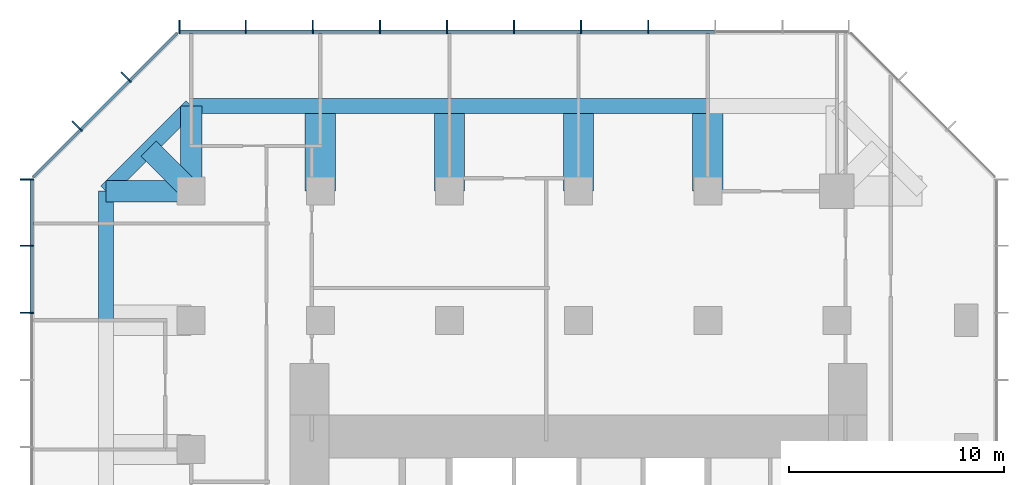
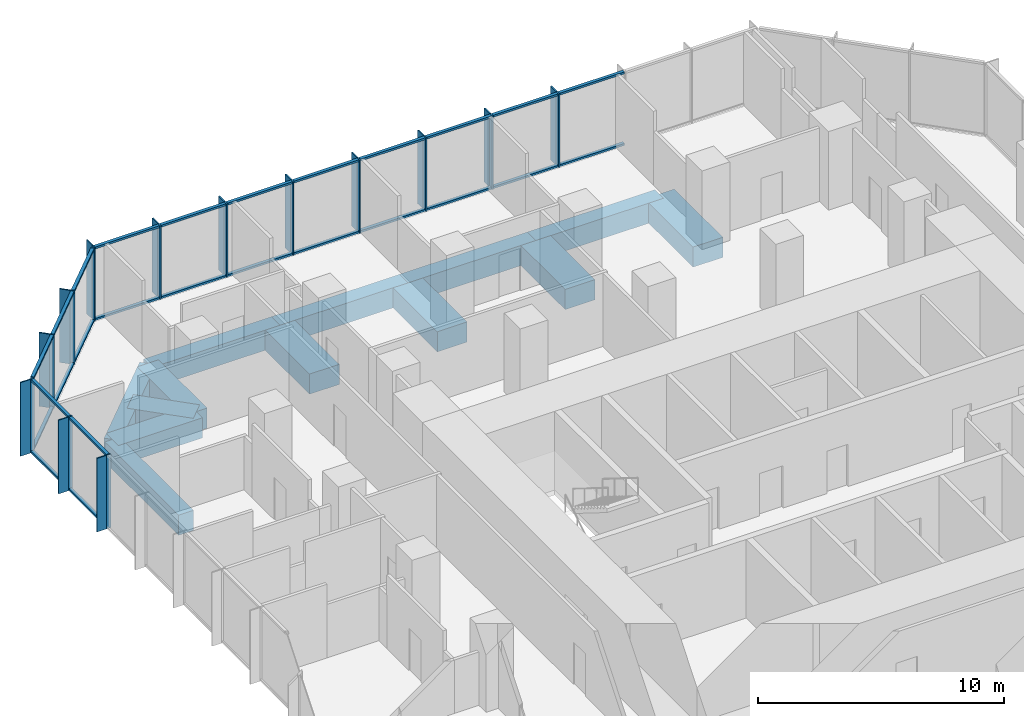
# One storey, part 5 of 11: 52 members, 13 beams, 3 elements without a shape of their own.
"""IFC4 building model written with IfcOpenShell, lengths in metres."""

from ifc_helpers import new_model, si_unit, direction, frame, origin, origin_2d, place, context, subcontext, project, spatial, rectangle, extrude, material, layer, layer_set, material_profile, profile_set, type_object, element, aggregate, save


model = new_model("IFC4")

# Units and contexts
model_context = context("Model", 3, precision=1e-05, world=origin(), true_north=direction((0.0, 1.0)))
body_context = subcontext(model_context, "Body", "Model", "MODEL_VIEW")
ifc_project = project(units=[si_unit("LENGTHUNIT", "METRE"), si_unit("AREAUNIT", "SQUARE_METRE"), si_unit("VOLUMEUNIT", "CUBIC_METRE"), si_unit("PLANEANGLEUNIT", "RADIAN"), si_unit("MASSUNIT", "GRAM", prefix="KILO")], contexts=[model_context])

# Site, building, storey
site_placement = place(None, origin())
site = spatial("IfcSite", under=ifc_project, at=site_placement, CompositionType="ELEMENT")
building_placement = place(site_placement, origin())
building = spatial("IfcBuilding", under=site, at=building_placement, Name="Highveld Stack Headquarters", CompositionType="ELEMENT")
storey_placement = place(building_placement, frame((0.0, 0.0, 208.39990234375)))
storey = spatial("IfcBuildingStorey", under=building, at=storey_placement, Name="L51", CompositionType="ELEMENT", Elevation=208.39990234375)

# Beams
ifc_material_1 = material(Name="Concrete C60/75", Category="concrete")
ifc_material_profile_1 = material_profile(ifc_material_1, rectangle(XDim=1.0, YDim=1.0, at=origin_2d()), Name="RC 1000x1000")
ifc_profile_set_1 = profile_set([ifc_material_profile_1], Name="Concrete C60/75")
beam_type_1 = type_object("IfcBeamType", Name="CANTILEVER RIB RC 1000x1000", PredefinedType="USERDEFINED", material=ifc_profile_set_1)
for number, where, z_axis, x_axis, name in (
    (1, (-12.0, 24.0, -0.75), (-1.0, 0.0, 0.0), (0.0, -1.0, 0.0), "Cantilever rib 4/J L51"),
    (2, (-12.0, 24.0, -0.75), (0.0, 1.0, 0.0), (-1.0, 0.0, 0.0), "Cantilever rib 4/J L51"),
):
    element("IfcBeam", number, at=place(storey_placement, frame(where, z_axis=z_axis, x_axis=x_axis)), inside=storey, type_object=beam_type_1, Name=name, ObjectType="CANTILEVER RIB", PredefinedType="USERDEFINED", context=body_context, shape_type="SweptSolid", body=[
        extrude(rectangle(XDim=1.0, YDim=1.0, at=origin_2d()), origin(), (0.0, 0.0, 1.0), 3.949951171875),
    ])
beam_1_placement = place(storey_placement, frame((-12.0, 24.0, -0.75), z_axis=(-0.707106781187, 0.707106781187, 0.0), x_axis=(-0.707106781187, -0.707106781187, 0.0)))
element("IfcBeam", 3, at=beam_1_placement, inside=storey, type_object=beam_type_1, Name="Cantilever rib 4/J L51", ObjectType="CANTILEVER RIB", PredefinedType="USERDEFINED", context=body_context, shape_type="SweptSolid", body=[
    extrude(rectangle(XDim=1.0, YDim=1.0, at=origin_2d()), origin(), (0.0, 0.0, 1.0), 2.793212890625),
])
ifc_material_2 = material(Name="Concrete C60/75", Category="concrete")
ifc_material_profile_2 = material_profile(ifc_material_2, rectangle(XDim=1.39990234375, YDim=1.0, at=origin_2d()), Name="RC 1400x1000")
ifc_profile_set_2 = profile_set([ifc_material_profile_2], Name="Concrete C60/75")
beam_type_2 = type_object("IfcBeamType", Name="CANTILEVER RIB RC 1400x1000", PredefinedType="USERDEFINED", material=ifc_profile_set_2)
for number, where, z_axis, x_axis, name in (
    (4, (-6.0, 24.0, -0.75), (0.0, 1.0, 0.0), (-1.0, 0.0, 0.0), "Cantilever rib 5/J L51"),
    (5, (0.0, 24.0, -0.75), (0.0, 1.0, 0.0), (-1.0, 0.0, 0.0), "Cantilever rib 6/J L51"),
    (6, (6.0, 24.0, -0.75), (0.0, 1.0, 0.0), (-1.0, 0.0, 0.0), "Cantilever rib 7/J L51"),
    (7, (12.0, 24.0, -0.75), (0.0, 1.0, 0.0), (-1.0, 0.0, 0.0), "Cantilever rib 8/J L51"),
):
    element("IfcBeam", number, at=place(storey_placement, frame(where, z_axis=z_axis, x_axis=x_axis)), inside=storey, type_object=beam_type_2, Name=name, ObjectType="CANTILEVER RIB", PredefinedType="USERDEFINED", context=body_context, shape_type="SweptSolid", body=[
        extrude(rectangle(XDim=1.39990234375, YDim=1.0, at=origin_2d()), origin(), (0.0, 0.0, 1.0), 3.949951171875),
    ])

# Curtain wall, members
ifc_material_3 = material(Name="Aluminium bronze anodised", Category="aluminium")
ifc_layer_1 = layer(ifc_material_3, 0.199951171875)
ifc_layer_set_1 = layer_set([ifc_layer_1], Name="Aluminium bronze anodised")
curtain_wall_type_1 = type_object("IfcCurtainWallType", Name="CW1 TOWER UNITISED CURTAIN WALL", PredefinedType="NOTDEFINED", material=ifc_layer_set_1)
curtain_wall_1_placement = place(storey_placement, origin())
curtain_wall_1 = element("IfcCurtainWall", 8, at=curtain_wall_1_placement, inside=storey, type_object=curtain_wall_type_1, Name="Curtain wall CW1 L51 N", PredefinedType="NOTDEFINED")
ifc_material_4 = material(Name="Aluminium bronze anodised", Category="aluminium")
ifc_material_profile_3 = material_profile(ifc_material_4, rectangle(XDim=0.449951171875, YDim=0.06005859375, at=origin_2d()), Name="FIN 450x60")
ifc_profile_set_3 = profile_set([ifc_material_profile_3], Name="Aluminium bronze anodised")
member_type_1 = type_object("IfcMemberType", Name="CW1 BRONZE FIN 450x60", PredefinedType="USERDEFINED", material=ifc_profile_set_3)
member_1_placement = place(storey_placement, frame((9.23193359375, 31.72509765625, 0.0), z_axis=(0.0, 0.0, 1.0), x_axis=(0.0, -1.0, 0.0)))
member_1 = element("IfcMember", 9, at=member_1_placement, type_object=member_type_1, Name="CW1 fin L51 4", ObjectType="FIN", PredefinedType="USERDEFINED", context=body_context, shape_type="SweptSolid", body=[
    extrude(rectangle(XDim=0.449951171875, YDim=0.06005859375, at=origin_2d()), origin(), (0.0, 0.0, 1.0), 3.650146484375),
])
member_2_placement = place(storey_placement, frame((6.115966796875, 31.72509765625, 0.0), z_axis=(0.0, 0.0, 1.0), x_axis=(0.0, -1.0, 0.0)))
member_2 = element("IfcMember", 10, at=member_2_placement, type_object=member_type_1, Name="CW1 fin L51 5", ObjectType="FIN", PredefinedType="USERDEFINED", context=body_context, shape_type="SweptSolid", body=[
    extrude(rectangle(XDim=0.449951171875, YDim=0.06005859375, at=origin_2d()), origin(), (0.0, 0.0, 1.0), 3.650146484375),
])
member_3_placement = place(storey_placement, frame((3.0, 31.72509765625, 0.0), z_axis=(0.0, 0.0, 1.0), x_axis=(0.0, -1.0, 0.0)))
member_3 = element("IfcMember", 11, at=member_3_placement, type_object=member_type_1, Name="CW1 fin L51 6", ObjectType="FIN", PredefinedType="USERDEFINED", context=body_context, shape_type="SweptSolid", body=[
    extrude(rectangle(XDim=0.449951171875, YDim=0.06005859375, at=origin_2d()), origin(), (0.0, 0.0, 1.0), 3.650146484375),
])
member_4_placement = place(storey_placement, frame((-0.115966796875, 31.72509765625, 0.0), z_axis=(0.0, 0.0, 1.0), x_axis=(0.0, -1.0, 0.0)))
member_4 = element("IfcMember", 12, at=member_4_placement, type_object=member_type_1, Name="CW1 fin L51 7", ObjectType="FIN", PredefinedType="USERDEFINED", context=body_context, shape_type="SweptSolid", body=[
    extrude(rectangle(XDim=0.449951171875, YDim=0.06005859375, at=origin_2d()), origin(), (0.0, 0.0, 1.0), 3.650146484375),
])
member_5_placement = place(storey_placement, frame((-3.23193359375, 31.72509765625, 0.0), z_axis=(0.0, 0.0, 1.0), x_axis=(0.0, -1.0, 0.0)))
member_5 = element("IfcMember", 13, at=member_5_placement, type_object=member_type_1, Name="CW1 fin L51 8", ObjectType="FIN", PredefinedType="USERDEFINED", context=body_context, shape_type="SweptSolid", body=[
    extrude(rectangle(XDim=0.449951171875, YDim=0.06005859375, at=origin_2d()), origin(), (0.0, 0.0, 1.0), 3.650146484375),
])
member_6_placement = place(storey_placement, frame((-6.347900390625, 31.72509765625, 0.0), z_axis=(0.0, 0.0, 1.0), x_axis=(0.0, -1.0, 0.0)))
member_6 = element("IfcMember", 14, at=member_6_placement, type_object=member_type_1, Name="CW1 fin L51 9", ObjectType="FIN", PredefinedType="USERDEFINED", context=body_context, shape_type="SweptSolid", body=[
    extrude(rectangle(XDim=0.449951171875, YDim=0.06005859375, at=origin_2d()), origin(), (0.0, 0.0, 1.0), 3.650146484375),
])
member_7_placement = place(storey_placement, frame((-9.4638671875, 31.72509765625, 0.0), z_axis=(0.0, 0.0, 1.0), x_axis=(0.0, -1.0, 0.0)))
member_7 = element("IfcMember", 15, at=member_7_placement, type_object=member_type_1, Name="CW1 fin L51 10", ObjectType="FIN", PredefinedType="USERDEFINED", context=body_context, shape_type="SweptSolid", body=[
    extrude(rectangle(XDim=0.449951171875, YDim=0.06005859375, at=origin_2d()), origin(), (0.0, 0.0, 1.0), 3.650146484375),
])
member_8_placement = place(storey_placement, frame((-12.54736328125, 31.72509765625, 0.0), z_axis=(0.0, 0.0, 1.0), x_axis=(0.0, -1.0, 0.0)))
member_8 = element("IfcMember", 16, at=member_8_placement, type_object=member_type_1, Name="CW1 fin L51 11", ObjectType="FIN", PredefinedType="USERDEFINED", context=body_context, shape_type="SweptSolid", body=[
    extrude(rectangle(XDim=0.449951171875, YDim=0.06005859375, at=origin_2d()), origin(), (0.0, 0.0, 1.0), 3.650146484375),
])

curtain_wall_2_placement = place(storey_placement, origin())
curtain_wall_2 = element("IfcCurtainWall", 17, at=curtain_wall_2_placement, inside=storey, type_object=curtain_wall_type_1, Name="Curtain wall CW1 L51 W", PredefinedType="NOTDEFINED")
member_9_placement = place(storey_placement, frame((-19.72509765625, 24.54736328125, 0.0), z_axis=(0.0, 0.0, 1.0), x_axis=(1.0, 0.0, 0.0)))
member_9 = element("IfcMember", 18, at=member_9_placement, type_object=member_type_1, Name="CW1 fin L51 1", ObjectType="FIN", PredefinedType="USERDEFINED", context=body_context, shape_type="SweptSolid", body=[
    extrude(rectangle(XDim=0.449951171875, YDim=0.06005859375, at=origin_2d()), origin(), (0.0, 0.0, 1.0), 3.650146484375),
])
member_10_placement = place(storey_placement, frame((-19.72509765625, 21.4638671875, 0.0), z_axis=(0.0, 0.0, 1.0), x_axis=(1.0, 0.0, 0.0)))
member_10 = element("IfcMember", 19, at=member_10_placement, type_object=member_type_1, Name="CW1 fin L51 2", ObjectType="FIN", PredefinedType="USERDEFINED", context=body_context, shape_type="SweptSolid", body=[
    extrude(rectangle(XDim=0.449951171875, YDim=0.06005859375, at=origin_2d()), origin(), (0.0, 0.0, 1.0), 3.650146484375),
])
member_11_placement = place(storey_placement, frame((-19.72509765625, 18.347900390625, 0.0), z_axis=(0.0, 0.0, 1.0), x_axis=(1.0, 0.0, 0.0)))
member_11 = element("IfcMember", 20, at=member_11_placement, type_object=member_type_1, Name="CW1 fin L51 3", ObjectType="FIN", PredefinedType="USERDEFINED", context=body_context, shape_type="SweptSolid", body=[
    extrude(rectangle(XDim=0.449951171875, YDim=0.06005859375, at=origin_2d()), origin(), (0.0, 0.0, 1.0), 3.650146484375),
])

# Member
ifc_material_5 = material(Name="Aluminium bronze anodised", Category="aluminium")
ifc_material_profile_4 = material_profile(ifc_material_5, rectangle(XDim=0.199951171875, YDim=0.06494140625, at=origin_2d()), Name="CW1 MULLION 65x200")
ifc_profile_set_4 = profile_set([ifc_material_profile_4], Name="Aluminium bronze anodised")
member_type_2 = type_object("IfcMemberType", Name="CW1 MULLION 65x200", PredefinedType="MULLION", material=ifc_profile_set_4)
member_12_placement = place(storey_placement, frame((9.23193359375, 31.39990234375, 0.0), z_axis=(0.0, 0.0, 1.0), x_axis=(0.0, -1.0, 0.0)))
member_12 = element("IfcMember", 21, at=member_12_placement, type_object=member_type_2, Name="CW1 mullion L51 4", PredefinedType="MULLION", context=body_context, shape_type="SweptSolid", body=[
    extrude(rectangle(XDim=0.199951171875, YDim=0.06494140625, at=origin_2d()), origin(), (0.0, 0.0, 1.0), 3.650146484375),
])

member_13_placement = place(storey_placement, frame((6.115966796875, 31.39990234375, 0.0), z_axis=(0.0, 0.0, 1.0), x_axis=(0.0, -1.0, 0.0)))
member_13 = element("IfcMember", 22, at=member_13_placement, type_object=member_type_2, Name="CW1 mullion L51 5", PredefinedType="MULLION", context=body_context, shape_type="SweptSolid", body=[
    extrude(rectangle(XDim=0.199951171875, YDim=0.06494140625, at=origin_2d()), origin(), (0.0, 0.0, 1.0), 3.650146484375),
])

member_14_placement = place(storey_placement, frame((3.0, 31.39990234375, 0.0), z_axis=(0.0, 0.0, 1.0), x_axis=(0.0, -1.0, 0.0)))
member_14 = element("IfcMember", 23, at=member_14_placement, type_object=member_type_2, Name="CW1 mullion L51 6", PredefinedType="MULLION", context=body_context, shape_type="SweptSolid", body=[
    extrude(rectangle(XDim=0.199951171875, YDim=0.06494140625, at=origin_2d()), origin(), (0.0, 0.0, 1.0), 3.650146484375),
])

member_15_placement = place(storey_placement, frame((-0.115966796875, 31.39990234375, 0.0), z_axis=(0.0, 0.0, 1.0), x_axis=(0.0, -1.0, 0.0)))
member_15 = element("IfcMember", 24, at=member_15_placement, type_object=member_type_2, Name="CW1 mullion L51 7", PredefinedType="MULLION", context=body_context, shape_type="SweptSolid", body=[
    extrude(rectangle(XDim=0.199951171875, YDim=0.06494140625, at=origin_2d()), origin(), (0.0, 0.0, 1.0), 3.650146484375),
])

member_16_placement = place(storey_placement, frame((-3.23193359375, 31.39990234375, 0.0), z_axis=(0.0, 0.0, 1.0), x_axis=(0.0, -1.0, 0.0)))
member_16 = element("IfcMember", 25, at=member_16_placement, type_object=member_type_2, Name="CW1 mullion L51 8", PredefinedType="MULLION", context=body_context, shape_type="SweptSolid", body=[
    extrude(rectangle(XDim=0.199951171875, YDim=0.06494140625, at=origin_2d()), origin(), (0.0, 0.0, 1.0), 3.650146484375),
])

member_17_placement = place(storey_placement, frame((-6.347900390625, 31.39990234375, 0.0), z_axis=(0.0, 0.0, 1.0), x_axis=(0.0, -1.0, 0.0)))
member_17 = element("IfcMember", 26, at=member_17_placement, type_object=member_type_2, Name="CW1 mullion L51 9", PredefinedType="MULLION", context=body_context, shape_type="SweptSolid", body=[
    extrude(rectangle(XDim=0.199951171875, YDim=0.06494140625, at=origin_2d()), origin(), (0.0, 0.0, 1.0), 3.650146484375),
])

member_18_placement = place(storey_placement, frame((-9.4638671875, 31.39990234375, 0.0), z_axis=(0.0, 0.0, 1.0), x_axis=(0.0, -1.0, 0.0)))
member_18 = element("IfcMember", 27, at=member_18_placement, type_object=member_type_2, Name="CW1 mullion L51 10", PredefinedType="MULLION", context=body_context, shape_type="SweptSolid", body=[
    extrude(rectangle(XDim=0.199951171875, YDim=0.06494140625, at=origin_2d()), origin(), (0.0, 0.0, 1.0), 3.650146484375),
])

member_19_placement = place(storey_placement, frame((-12.54736328125, 31.39990234375, 0.0), z_axis=(0.0, 0.0, 1.0), x_axis=(0.0, -1.0, 0.0)))
member_19 = element("IfcMember", 28, at=member_19_placement, type_object=member_type_2, Name="CW1 mullion L51 11", PredefinedType="MULLION", context=body_context, shape_type="SweptSolid", body=[
    extrude(rectangle(XDim=0.199951171875, YDim=0.06494140625, at=origin_2d()), origin(), (0.0, 0.0, 1.0), 3.650146484375),
])

member_20_placement = place(storey_placement, frame((-19.39990234375, 24.54736328125, 0.0), z_axis=(0.0, 0.0, 1.0), x_axis=(1.0, 0.0, 0.0)))
member_20 = element("IfcMember", 29, at=member_20_placement, type_object=member_type_2, Name="CW1 mullion L51 1", PredefinedType="MULLION", context=body_context, shape_type="SweptSolid", body=[
    extrude(rectangle(XDim=0.199951171875, YDim=0.06494140625, at=origin_2d()), origin(), (0.0, 0.0, 1.0), 3.650146484375),
])

member_21_placement = place(storey_placement, frame((-19.39990234375, 21.4638671875, 0.0), z_axis=(0.0, 0.0, 1.0), x_axis=(1.0, 0.0, 0.0)))
member_21 = element("IfcMember", 30, at=member_21_placement, type_object=member_type_2, Name="CW1 mullion L51 2", PredefinedType="MULLION", context=body_context, shape_type="SweptSolid", body=[
    extrude(rectangle(XDim=0.199951171875, YDim=0.06494140625, at=origin_2d()), origin(), (0.0, 0.0, 1.0), 3.650146484375),
])

member_22_placement = place(storey_placement, frame((-19.39990234375, 18.347900390625, 0.0), z_axis=(0.0, 0.0, 1.0), x_axis=(1.0, 0.0, 0.0)))
member_22 = element("IfcMember", 31, at=member_22_placement, type_object=member_type_2, Name="CW1 mullion L51 3", PredefinedType="MULLION", context=body_context, shape_type="SweptSolid", body=[
    extrude(rectangle(XDim=0.199951171875, YDim=0.06494140625, at=origin_2d()), origin(), (0.0, 0.0, 1.0), 3.650146484375),
])

ifc_material_6 = material(Name="Aluminium bronze anodised", Category="aluminium")
ifc_material_profile_5 = material_profile(ifc_material_6, rectangle(XDim=0.14990234375, YDim=0.10009765625, at=origin_2d()), Name="CW1 TRANSOM 150x100")
ifc_profile_set_5 = profile_set([ifc_material_profile_5], Name="Aluminium bronze anodised")
member_type_3 = type_object("IfcMemberType", Name="CW1 STACK TRANSOM 150x100", PredefinedType="USERDEFINED", material=ifc_profile_set_5)
member_23_placement = place(storey_placement, frame((12.3154296875, 31.39990234375, 0.050048828125), z_axis=(-1.0, 0.0, 0.0), x_axis=(0.0, -1.0, 0.0)))
member_23 = element("IfcMember", 32, at=member_23_placement, type_object=member_type_3, Name="CW1 transom L51 3.1", ObjectType="TRANSOM", PredefinedType="USERDEFINED", context=body_context, shape_type="SweptSolid", body=[
    extrude(rectangle(XDim=0.14990234375, YDim=0.10009765625, at=origin_2d()), origin(), (0.0, 0.0, 1.0), 3.051025390625),
])

member_24_placement = place(storey_placement, frame((12.3154296875, 31.39990234375, 3.60009765625), z_axis=(-1.0, 0.0, 0.0), x_axis=(0.0, -1.0, 0.0)))
member_24 = element("IfcMember", 33, at=member_24_placement, type_object=member_type_3, Name="CW1 transom L51 3.2", ObjectType="TRANSOM", PredefinedType="USERDEFINED", context=body_context, shape_type="SweptSolid", body=[
    extrude(rectangle(XDim=0.14990234375, YDim=0.10009765625, at=origin_2d()), origin(), (0.0, 0.0, 1.0), 3.051025390625),
])

member_25_placement = place(storey_placement, frame((9.199462890625, 31.39990234375, 0.050048828125), z_axis=(-1.0, 0.0, 0.0), x_axis=(0.0, -1.0, 0.0)))
member_25 = element("IfcMember", 34, at=member_25_placement, type_object=member_type_3, Name="CW1 transom L51 4.1", ObjectType="TRANSOM", PredefinedType="USERDEFINED", context=body_context, shape_type="SweptSolid", body=[
    extrude(rectangle(XDim=0.14990234375, YDim=0.10009765625, at=origin_2d()), origin(), (0.0, 0.0, 1.0), 3.051025390625),
])

member_26_placement = place(storey_placement, frame((9.199462890625, 31.39990234375, 3.60009765625), z_axis=(-1.0, 0.0, 0.0), x_axis=(0.0, -1.0, 0.0)))
member_26 = element("IfcMember", 35, at=member_26_placement, type_object=member_type_3, Name="CW1 transom L51 4.2", ObjectType="TRANSOM", PredefinedType="USERDEFINED", context=body_context, shape_type="SweptSolid", body=[
    extrude(rectangle(XDim=0.14990234375, YDim=0.10009765625, at=origin_2d()), origin(), (0.0, 0.0, 1.0), 3.051025390625),
])

member_27_placement = place(storey_placement, frame((6.08349609375, 31.39990234375, 0.050048828125), z_axis=(-1.0, 0.0, 0.0), x_axis=(0.0, -1.0, 0.0)))
member_27 = element("IfcMember", 36, at=member_27_placement, type_object=member_type_3, Name="CW1 transom L51 5.1", ObjectType="TRANSOM", PredefinedType="USERDEFINED", context=body_context, shape_type="SweptSolid", body=[
    extrude(rectangle(XDim=0.14990234375, YDim=0.10009765625, at=origin_2d()), origin(), (0.0, 0.0, 1.0), 3.051025390625),
])

member_28_placement = place(storey_placement, frame((6.08349609375, 31.39990234375, 3.60009765625), z_axis=(-1.0, 0.0, 0.0), x_axis=(0.0, -1.0, 0.0)))
member_28 = element("IfcMember", 37, at=member_28_placement, type_object=member_type_3, Name="CW1 transom L51 5.2", ObjectType="TRANSOM", PredefinedType="USERDEFINED", context=body_context, shape_type="SweptSolid", body=[
    extrude(rectangle(XDim=0.14990234375, YDim=0.10009765625, at=origin_2d()), origin(), (0.0, 0.0, 1.0), 3.051025390625),
])

member_29_placement = place(storey_placement, frame((2.967529296875, 31.39990234375, 0.050048828125), z_axis=(-1.0, 0.0, 0.0), x_axis=(0.0, -1.0, 0.0)))
member_29 = element("IfcMember", 38, at=member_29_placement, type_object=member_type_3, Name="CW1 transom L51 6.1", ObjectType="TRANSOM", PredefinedType="USERDEFINED", context=body_context, shape_type="SweptSolid", body=[
    extrude(rectangle(XDim=0.14990234375, YDim=0.10009765625, at=origin_2d()), origin(), (0.0, 0.0, 1.0), 3.051025390625),
])

member_30_placement = place(storey_placement, frame((2.967529296875, 31.39990234375, 3.60009765625), z_axis=(-1.0, 0.0, 0.0), x_axis=(0.0, -1.0, 0.0)))
member_30 = element("IfcMember", 39, at=member_30_placement, type_object=member_type_3, Name="CW1 transom L51 6.2", ObjectType="TRANSOM", PredefinedType="USERDEFINED", context=body_context, shape_type="SweptSolid", body=[
    extrude(rectangle(XDim=0.14990234375, YDim=0.10009765625, at=origin_2d()), origin(), (0.0, 0.0, 1.0), 3.051025390625),
])

member_31_placement = place(storey_placement, frame((-0.1484375, 31.39990234375, 0.050048828125), z_axis=(-1.0, 0.0, 0.0), x_axis=(0.0, -1.0, 0.0)))
member_31 = element("IfcMember", 40, at=member_31_placement, type_object=member_type_3, Name="CW1 transom L51 7.1", ObjectType="TRANSOM", PredefinedType="USERDEFINED", context=body_context, shape_type="SweptSolid", body=[
    extrude(rectangle(XDim=0.14990234375, YDim=0.10009765625, at=origin_2d()), origin(), (0.0, 0.0, 1.0), 3.051025390625),
])

member_32_placement = place(storey_placement, frame((-0.1484375, 31.39990234375, 3.60009765625), z_axis=(-1.0, 0.0, 0.0), x_axis=(0.0, -1.0, 0.0)))
member_32 = element("IfcMember", 41, at=member_32_placement, type_object=member_type_3, Name="CW1 transom L51 7.2", ObjectType="TRANSOM", PredefinedType="USERDEFINED", context=body_context, shape_type="SweptSolid", body=[
    extrude(rectangle(XDim=0.14990234375, YDim=0.10009765625, at=origin_2d()), origin(), (0.0, 0.0, 1.0), 3.051025390625),
])

member_33_placement = place(storey_placement, frame((-3.264404296875, 31.39990234375, 0.050048828125), z_axis=(-1.0, 0.0, 0.0), x_axis=(0.0, -1.0, 0.0)))
member_33 = element("IfcMember", 42, at=member_33_placement, type_object=member_type_3, Name="CW1 transom L51 8.1", ObjectType="TRANSOM", PredefinedType="USERDEFINED", context=body_context, shape_type="SweptSolid", body=[
    extrude(rectangle(XDim=0.14990234375, YDim=0.10009765625, at=origin_2d()), origin(), (0.0, 0.0, 1.0), 3.051025390625),
])

member_34_placement = place(storey_placement, frame((-3.264404296875, 31.39990234375, 3.60009765625), z_axis=(-1.0, 0.0, 0.0), x_axis=(0.0, -1.0, 0.0)))
member_34 = element("IfcMember", 43, at=member_34_placement, type_object=member_type_3, Name="CW1 transom L51 8.2", ObjectType="TRANSOM", PredefinedType="USERDEFINED", context=body_context, shape_type="SweptSolid", body=[
    extrude(rectangle(XDim=0.14990234375, YDim=0.10009765625, at=origin_2d()), origin(), (0.0, 0.0, 1.0), 3.051025390625),
])

member_35_placement = place(storey_placement, frame((-6.38037109375, 31.39990234375, 0.050048828125), z_axis=(-1.0, 0.0, 0.0), x_axis=(0.0, -1.0, 0.0)))
member_35 = element("IfcMember", 44, at=member_35_placement, type_object=member_type_3, Name="CW1 transom L51 9.1", ObjectType="TRANSOM", PredefinedType="USERDEFINED", context=body_context, shape_type="SweptSolid", body=[
    extrude(rectangle(XDim=0.14990234375, YDim=0.10009765625, at=origin_2d()), origin(), (0.0, 0.0, 1.0), 3.051025390625),
])

member_36_placement = place(storey_placement, frame((-6.38037109375, 31.39990234375, 3.60009765625), z_axis=(-1.0, 0.0, 0.0), x_axis=(0.0, -1.0, 0.0)))
member_36 = element("IfcMember", 45, at=member_36_placement, type_object=member_type_3, Name="CW1 transom L51 9.2", ObjectType="TRANSOM", PredefinedType="USERDEFINED", context=body_context, shape_type="SweptSolid", body=[
    extrude(rectangle(XDim=0.14990234375, YDim=0.10009765625, at=origin_2d()), origin(), (0.0, 0.0, 1.0), 3.051025390625),
])

member_37_placement = place(storey_placement, frame((-9.496337890625, 31.39990234375, 0.050048828125), z_axis=(-1.0, 0.0, 0.0), x_axis=(0.0, -1.0, 0.0)))
member_37 = element("IfcMember", 46, at=member_37_placement, type_object=member_type_3, Name="CW1 transom L51 10.1", ObjectType="TRANSOM", PredefinedType="USERDEFINED", context=body_context, shape_type="SweptSolid", body=[
    extrude(rectangle(XDim=0.14990234375, YDim=0.10009765625, at=origin_2d()), origin(), (0.0, 0.0, 1.0), 3.0185546875),
])

member_38_placement = place(storey_placement, frame((-9.496337890625, 31.39990234375, 3.60009765625), z_axis=(-1.0, 0.0, 0.0), x_axis=(0.0, -1.0, 0.0)))
member_38 = element("IfcMember", 47, at=member_38_placement, type_object=member_type_3, Name="CW1 transom L51 10.2", ObjectType="TRANSOM", PredefinedType="USERDEFINED", context=body_context, shape_type="SweptSolid", body=[
    extrude(rectangle(XDim=0.14990234375, YDim=0.10009765625, at=origin_2d()), origin(), (0.0, 0.0, 1.0), 3.0185546875),
])

aggregate(curtain_wall_1, [member_12, member_1, member_13, member_2, member_14, member_3, member_15, member_4, member_16, member_5, member_17, member_6, member_18, member_7, member_19, member_8, member_23, member_24, member_25, member_26, member_27, member_28, member_29, member_30, member_31, member_32, member_33, member_34, member_35, member_36, member_37, member_38])

member_39_placement = place(storey_placement, frame((-19.39990234375, 24.514892578125, 0.050048828125), z_axis=(0.0, -1.0, 0.0), x_axis=(1.0, 0.0, 0.0)))
member_39 = element("IfcMember", 48, at=member_39_placement, type_object=member_type_3, Name="CW1 transom L51 1.1", ObjectType="TRANSOM", PredefinedType="USERDEFINED", context=body_context, shape_type="SweptSolid", body=[
    extrude(rectangle(XDim=0.14990234375, YDim=0.10009765625, at=origin_2d()), origin(), (0.0, 0.0, 1.0), 3.0185546875),
])

member_40_placement = place(storey_placement, frame((-19.39990234375, 24.514892578125, 3.60009765625), z_axis=(0.0, -1.0, 0.0), x_axis=(1.0, 0.0, 0.0)))
member_40 = element("IfcMember", 49, at=member_40_placement, type_object=member_type_3, Name="CW1 transom L51 1.2", ObjectType="TRANSOM", PredefinedType="USERDEFINED", context=body_context, shape_type="SweptSolid", body=[
    extrude(rectangle(XDim=0.14990234375, YDim=0.10009765625, at=origin_2d()), origin(), (0.0, 0.0, 1.0), 3.0185546875),
])

member_41_placement = place(storey_placement, frame((-19.39990234375, 21.431396484375, 0.050048828125), z_axis=(0.0, -1.0, 0.0), x_axis=(1.0, 0.0, 0.0)))
member_41 = element("IfcMember", 50, at=member_41_placement, type_object=member_type_3, Name="CW1 transom L51 2.1", ObjectType="TRANSOM", PredefinedType="USERDEFINED", context=body_context, shape_type="SweptSolid", body=[
    extrude(rectangle(XDim=0.14990234375, YDim=0.10009765625, at=origin_2d()), origin(), (0.0, 0.0, 1.0), 3.051025390625),
])

member_42_placement = place(storey_placement, frame((-19.39990234375, 21.431396484375, 3.60009765625), z_axis=(0.0, -1.0, 0.0), x_axis=(1.0, 0.0, 0.0)))
member_42 = element("IfcMember", 51, at=member_42_placement, type_object=member_type_3, Name="CW1 transom L51 2.2", ObjectType="TRANSOM", PredefinedType="USERDEFINED", context=body_context, shape_type="SweptSolid", body=[
    extrude(rectangle(XDim=0.14990234375, YDim=0.10009765625, at=origin_2d()), origin(), (0.0, 0.0, 1.0), 3.051025390625),
])

aggregate(curtain_wall_2, [member_20, member_9, member_21, member_10, member_22, member_11, member_39, member_40, member_41, member_42])

# Curtain wall, members
ifc_material_7 = material(Name="Aluminium bronze anodised", Category="aluminium")
ifc_layer_2 = layer(ifc_material_7, 0.199951171875)
ifc_layer_set_2 = layer_set([ifc_layer_2], Name="Aluminium bronze anodised")
curtain_wall_type_2 = type_object("IfcCurtainWallType", Name="CW2 TOWER CHAMFER UNITISED CURTAIN WALL", PredefinedType="NOTDEFINED", material=ifc_layer_set_2)
curtain_wall_3_placement = place(storey_placement, origin())
curtain_wall_3 = element("IfcCurtainWall", 52, at=curtain_wall_3_placement, inside=storey, type_object=curtain_wall_type_2, Name="Curtain wall CW2 L51 NW", PredefinedType="NOTDEFINED")
ifc_material_8 = material(Name="Aluminium bronze anodised", Category="aluminium")
ifc_material_profile_6 = material_profile(ifc_material_8, rectangle(XDim=0.449951171875, YDim=0.06005859375, at=origin_2d()), Name="FIN 450x60")
ifc_profile_set_6 = profile_set([ifc_material_profile_6], Name="Aluminium bronze anodised")
member_type_4 = type_object("IfcMemberType", Name="CW2 BRONZE FIN 450x60", PredefinedType="USERDEFINED", material=ifc_profile_set_6)
member_43_placement = place(storey_placement, frame((-15.0830078125, 29.3564453125, 0.0), z_axis=(0.0, 0.0, 1.0), x_axis=(0.707106781187, -0.707106781187, 0.0)))
member_43 = element("IfcMember", 53, at=member_43_placement, type_object=member_type_4, Name="CW2 fin L51 1", ObjectType="FIN", PredefinedType="USERDEFINED", context=body_context, shape_type="SweptSolid", body=[
    extrude(rectangle(XDim=0.449951171875, YDim=0.06005859375, at=origin_2d()), origin(), (0.0, 0.0, 1.0), 3.650146484375),
])
member_44_placement = place(storey_placement, frame((-17.3564453125, 27.0830078125, 0.0), z_axis=(0.0, 0.0, 1.0), x_axis=(0.707106781187, -0.707106781187, 0.0)))
member_44 = element("IfcMember", 54, at=member_44_placement, type_object=member_type_4, Name="CW2 fin L51 2", ObjectType="FIN", PredefinedType="USERDEFINED", context=body_context, shape_type="SweptSolid", body=[
    extrude(rectangle(XDim=0.449951171875, YDim=0.06005859375, at=origin_2d()), origin(), (0.0, 0.0, 1.0), 3.650146484375),
])
ifc_material_9 = material(Name="Aluminium bronze anodised", Category="aluminium")
ifc_material_profile_7 = material_profile(ifc_material_9, rectangle(XDim=0.199951171875, YDim=0.06494140625, at=origin_2d()), Name="CW2 MULLION 65x200")
ifc_profile_set_7 = profile_set([ifc_material_profile_7], Name="Aluminium bronze anodised")
member_type_5 = type_object("IfcMemberType", Name="CW2 MULLION 65x200", PredefinedType="MULLION", material=ifc_profile_set_7)
member_45_placement = place(storey_placement, frame((-14.853271484375, 29.126708984375, 0.0), z_axis=(0.0, 0.0, 1.0), x_axis=(0.707106781187, -0.707106781187, 0.0)))
member_45 = element("IfcMember", 55, at=member_45_placement, type_object=member_type_5, Name="CW2 mullion L51 1", PredefinedType="MULLION", context=body_context, shape_type="SweptSolid", body=[
    extrude(rectangle(XDim=0.199951171875, YDim=0.06494140625, at=origin_2d()), origin(), (0.0, 0.0, 1.0), 3.650146484375),
])
member_46_placement = place(storey_placement, frame((-17.126708984375, 26.853271484375, 0.0), z_axis=(0.0, 0.0, 1.0), x_axis=(0.707106781187, -0.707106781187, 0.0)))
member_46 = element("IfcMember", 56, at=member_46_placement, type_object=member_type_5, Name="CW2 mullion L51 2", PredefinedType="MULLION", context=body_context, shape_type="SweptSolid", body=[
    extrude(rectangle(XDim=0.199951171875, YDim=0.06494140625, at=origin_2d()), origin(), (0.0, 0.0, 1.0), 3.650146484375),
])
ifc_material_10 = material(Name="Aluminium bronze anodised", Category="aluminium")
ifc_material_profile_8 = material_profile(ifc_material_10, rectangle(XDim=0.14990234375, YDim=0.10009765625, at=origin_2d()), Name="CW2 TRANSOM 150x100")
ifc_profile_set_8 = profile_set([ifc_material_profile_8], Name="Aluminium bronze anodised")
member_type_6 = type_object("IfcMemberType", Name="CW2 STACK TRANSOM 150x100", PredefinedType="USERDEFINED", material=ifc_profile_set_8)
member_47_placement = place(storey_placement, frame((-12.650634765625, 31.329345703125, 0.050048828125), z_axis=(-0.707106781187, -0.707106781187, 0.0), x_axis=(0.707106781187, -0.707106781187, 0.0)))
member_47 = element("IfcMember", 57, at=member_47_placement, type_object=member_type_6, Name="CW2 transom L51 1.1", ObjectType="TRANSOM", PredefinedType="USERDEFINED", context=body_context, shape_type="SweptSolid", body=[
    extrude(rectangle(XDim=0.14990234375, YDim=0.10009765625, at=origin_2d()), origin(), (0.0, 0.0, 1.0), 3.08251953125),
])
member_48_placement = place(storey_placement, frame((-12.650634765625, 31.329345703125, 3.60009765625), z_axis=(-0.707106781187, -0.707106781187, 0.0), x_axis=(0.707106781187, -0.707106781187, 0.0)))
member_48 = element("IfcMember", 58, at=member_48_placement, type_object=member_type_6, Name="CW2 transom L51 1.2", ObjectType="TRANSOM", PredefinedType="USERDEFINED", context=body_context, shape_type="SweptSolid", body=[
    extrude(rectangle(XDim=0.14990234375, YDim=0.10009765625, at=origin_2d()), origin(), (0.0, 0.0, 1.0), 3.08251953125),
])
member_49_placement = place(storey_placement, frame((-14.876220703125, 29.103759765625, 0.050048828125), z_axis=(-0.707106781187, -0.707106781187, 0.0), x_axis=(0.707106781187, -0.707106781187, 0.0)))
member_49 = element("IfcMember", 59, at=member_49_placement, type_object=member_type_6, Name="CW2 transom L51 2.1", ObjectType="TRANSOM", PredefinedType="USERDEFINED", context=body_context, shape_type="SweptSolid", body=[
    extrude(rectangle(XDim=0.14990234375, YDim=0.10009765625, at=origin_2d()), origin(), (0.0, 0.0, 1.0), 3.150146484375),
])
member_50_placement = place(storey_placement, frame((-14.876220703125, 29.103759765625, 3.60009765625), z_axis=(-0.707106781187, -0.707106781187, 0.0), x_axis=(0.707106781187, -0.707106781187, 0.0)))
member_50 = element("IfcMember", 60, at=member_50_placement, type_object=member_type_6, Name="CW2 transom L51 2.2", ObjectType="TRANSOM", PredefinedType="USERDEFINED", context=body_context, shape_type="SweptSolid", body=[
    extrude(rectangle(XDim=0.14990234375, YDim=0.10009765625, at=origin_2d()), origin(), (0.0, 0.0, 1.0), 3.150146484375),
])
member_51_placement = place(storey_placement, frame((-17.149658203125, 26.830322265625, 0.050048828125), z_axis=(-0.707106781187, -0.707106781187, 0.0), x_axis=(0.707106781187, -0.707106781187, 0.0)))
member_51 = element("IfcMember", 61, at=member_51_placement, type_object=member_type_6, Name="CW2 transom L51 3.1", ObjectType="TRANSOM", PredefinedType="USERDEFINED", context=body_context, shape_type="SweptSolid", body=[
    extrude(rectangle(XDim=0.14990234375, YDim=0.10009765625, at=origin_2d()), origin(), (0.0, 0.0, 1.0), 3.08251953125),
])
member_52_placement = place(storey_placement, frame((-17.149658203125, 26.830322265625, 3.60009765625), z_axis=(-0.707106781187, -0.707106781187, 0.0), x_axis=(0.707106781187, -0.707106781187, 0.0)))
member_52 = element("IfcMember", 62, at=member_52_placement, type_object=member_type_6, Name="CW2 transom L51 3.2", ObjectType="TRANSOM", PredefinedType="USERDEFINED", context=body_context, shape_type="SweptSolid", body=[
    extrude(rectangle(XDim=0.14990234375, YDim=0.10009765625, at=origin_2d()), origin(), (0.0, 0.0, 1.0), 3.08251953125),
])
aggregate(curtain_wall_3, [member_45, member_43, member_46, member_44, member_47, member_48, member_49, member_50, member_51, member_52])

# Beams
ifc_material_11 = material(Name="Concrete C60/75", Category="concrete")
ifc_material_profile_9 = material_profile(ifc_material_11, rectangle(XDim=0.699951171875, YDim=1.0, at=origin_2d()), Name="RC 700x1000")
ifc_profile_set_9 = profile_set([ifc_material_profile_9], Name="Concrete C60/75")
beam_type_3 = type_object("IfcBeamType", Name="RIB TIP BEAM RC 700x1000", PredefinedType="SPANDREL", material=ifc_profile_set_9)
for number, where, z_axis, x_axis, name in (
    (63, (-15.949951171875, 18.0, -0.75), (0.0, 1.0, 0.0), (-1.0, 0.0, 0.0), "Rib tip beam 4/H to 4/J L51"),
    (64, (-12.0, 27.949951171875, -0.75), (1.0, 0.0, 0.0), (0.0, 1.0, 0.0), "Rib tip beam 4/J to 5/J L51"),
    (65, (-6.0, 27.949951171875, -0.75), (1.0, 0.0, 0.0), (0.0, 1.0, 0.0), "Rib tip beam 5/J to 6/J L51"),
    (66, (0.0, 27.949951171875, -0.75), (1.0, 0.0, 0.0), (0.0, 1.0, 0.0), "Rib tip beam 6/J to 7/J L51"),
    (67, (6.0, 27.949951171875, -0.75), (1.0, 0.0, 0.0), (0.0, 1.0, 0.0), "Rib tip beam 7/J to 8/J L51"),
):
    element("IfcBeam", number, at=place(storey_placement, frame(where, z_axis=z_axis, x_axis=x_axis)), inside=storey, type_object=beam_type_3, Name=name, PredefinedType="SPANDREL", context=body_context, shape_type="SweptSolid", body=[
        extrude(rectangle(XDim=0.699951171875, YDim=1.0, at=origin_2d()), origin(), (0.0, 0.0, 1.0), 6.0),
    ])
beam_2_placement = place(storey_placement, frame((-15.949951171875, 24.0, -0.75), z_axis=(0.707106781187, 0.707106781187, 0.0), x_axis=(-0.707106781187, 0.707106781187, 0.0)))
element("IfcBeam", 68, at=beam_2_placement, inside=storey, type_object=beam_type_3, Name="Rib tip beam 4/J corner L51", PredefinedType="SPANDREL", context=body_context, shape_type="SweptSolid", body=[
    extrude(rectangle(XDim=0.699951171875, YDim=1.0, at=origin_2d()), origin(), (0.0, 0.0, 1.0), 5.586181640625),
])

save(model, "model.ifc")
